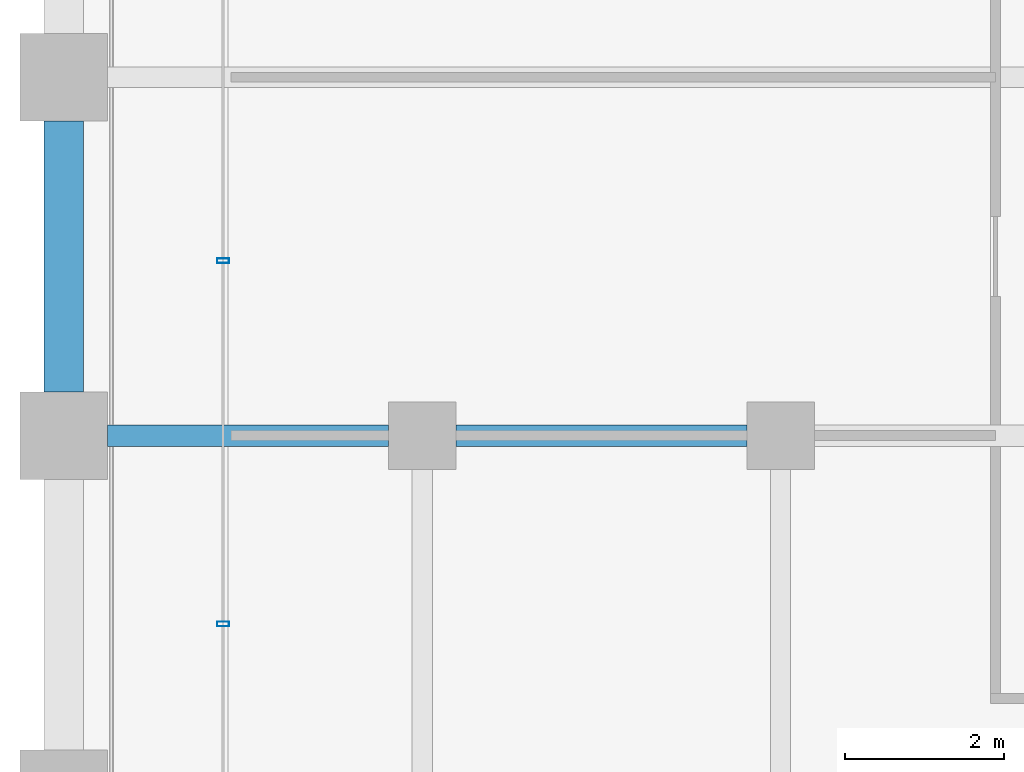
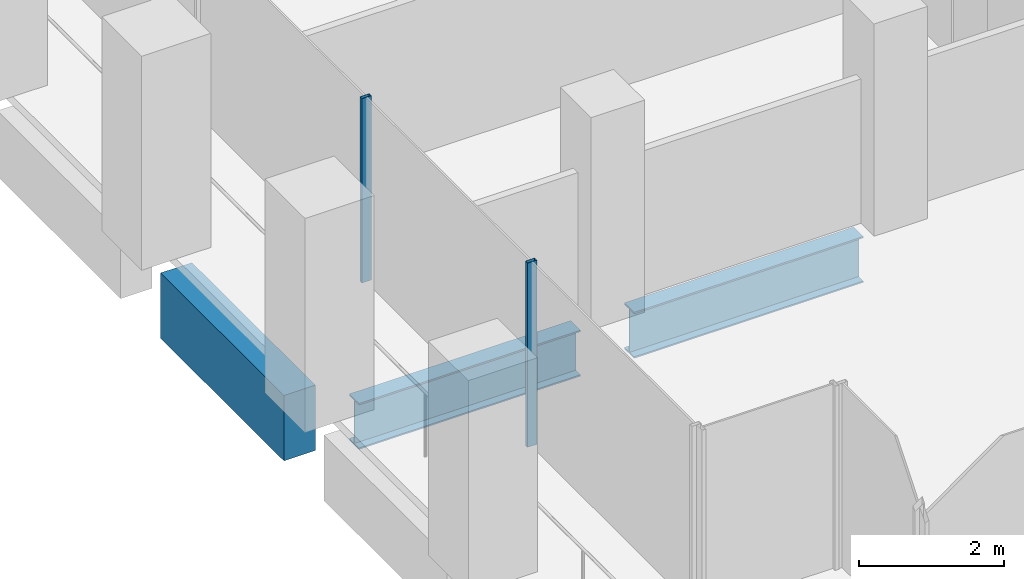
# One storey, part 5 of 56: 3 beams, 2 members, 1 element without a shape of its own.
"""IFC4 building model written with IfcOpenShell, lengths in metres."""

from ifc_helpers import new_model, si_unit, direction, frame, origin, origin_2d, place, context, subcontext, project, spatial, rectangle, hollow_rectangle, i_section, extrude, material, material_profile, profile_set, type_object, element, aggregate, save


model = new_model("IFC4")

# Units and contexts
model_context = context("Model", 3, precision=1e-05, world=origin(), true_north=direction((0.0, 1.0)))
body_context = subcontext(model_context, "Body", "Model", "MODEL_VIEW")
ifc_project = project(units=[si_unit("LENGTHUNIT", "METRE"), si_unit("AREAUNIT", "SQUARE_METRE"), si_unit("VOLUMEUNIT", "CUBIC_METRE"), si_unit("PLANEANGLEUNIT", "RADIAN"), si_unit("MASSUNIT", "GRAM", prefix="KILO")], contexts=[model_context])

# Site, building, storey
site_placement = place(None, origin())
site = spatial("IfcSite", under=ifc_project, at=site_placement, CompositionType="ELEMENT")
building_placement = place(site_placement, origin())
building = spatial("IfcBuilding", under=site, at=building_placement, Name="Altepetl Exchange Towers", CompositionType="ELEMENT")
storey_placement = place(building_placement, frame((0.0, 0.0, 83.39990234375)))
storey = spatial("IfcBuildingStorey", under=building, at=storey_placement, Name="L20", CompositionType="ELEMENT", Elevation=83.39990234375)

# Beams
ifc_material_1 = material(Name="Steel S355", Category="steel")
ifc_material_profile_1 = material_profile(ifc_material_1, i_section(OverallWidth=0.26806640625, OverallDepth=0.77392578125, WebThickness=0.015380859375, FlangeThickness=0.025390625, at=origin_2d()), Name="W30X132")
ifc_profile_set_1 = profile_set([ifc_material_profile_1], Name="Steel S355")
beam_type_1 = type_object("IfcBeamType", Name="Girder W30X132", PredefinedType="BEAM", material=ifc_profile_set_1)
beam_1_placement = place(storey_placement, frame((35.574951171875, 40.5, -0.536865234375), z_axis=(-1.0, 0.0, 0.0), x_axis=(0.0, -1.0, 0.0)))
element("IfcBeam", 1, at=beam_1_placement, inside=storey, type_object=beam_type_1, Name="gd:A:L20:010", PredefinedType="BEAM", context=body_context, shape_type="SweptSolid", body=[
    extrude(i_section(OverallWidth=0.26806640625, OverallDepth=0.77392578125, WebThickness=0.015380859375, FlangeThickness=0.025390625, at=origin_2d()), origin(), (0.0, 0.0, 1.0), 3.64990234375),
])
beam_2_placement = place(storey_placement, frame((31.074951171875, 40.5, -0.536865234375), z_axis=(-1.0, 0.0, 0.0), x_axis=(0.0, -1.0, 0.0)))
element("IfcBeam", 2, at=beam_2_placement, inside=storey, type_object=beam_type_1, Name="gd:A:L20:011", PredefinedType="BEAM", context=body_context, shape_type="SweptSolid", body=[
    extrude(i_section(OverallWidth=0.26806640625, OverallDepth=0.77392578125, WebThickness=0.015380859375, FlangeThickness=0.025390625, at=origin_2d()), origin(), (0.0, 0.0, 1.0), 3.52490234375),
])

# Curtain wall, members
ifc_material_2 = material(Name="Aluminium 6063-T6 glazing", Category="aluminium")
curtain_wall_type = type_object("IfcCurtainWallType", Name="Loggia glazing system", PredefinedType="NOTDEFINED", material=ifc_material_2)
curtain_wall_placement = place(storey_placement, origin())
curtain_wall = element("IfcCurtainWall", 3, at=curtain_wall_placement, inside=storey, type_object=curtain_wall_type, Name="CW1 run", PredefinedType="NOTDEFINED")
ifc_material_3 = material(Name="Aluminium 6063-T6", Category="aluminium")
ifc_material_profile_2 = material_profile(ifc_material_3, hollow_rectangle(XDim=0.06005859375, YDim=0.14990234375, WallThickness=0.0029296875, at=origin_2d()), Name="Mullion 60x150 aluminium")
ifc_profile_set_2 = profile_set([ifc_material_profile_2], Name="Aluminium 6063-T6")
member_type = type_object("IfcMemberType", Name="Mullion 60x150 aluminium", PredefinedType="MULLION", material=ifc_profile_set_2)
member_1_placement = place(storey_placement, frame((29.0, 42.696533203125, 0.0), z_axis=(0.0, 0.0, 1.0), x_axis=(0.0, -1.0, 0.0)))
member_1 = element("IfcMember", 4, at=member_1_placement, type_object=member_type, Name="MU1 mullion", PredefinedType="MULLION", context=body_context, shape_type="SweptSolid", body=[
    extrude(hollow_rectangle(XDim=0.06005859375, YDim=0.14990234375, WallThickness=0.0029296875, at=origin_2d()), origin(), (0.0, 0.0, 1.0), 3.10009765625),
])
member_2_placement = place(storey_placement, frame((29.0, 38.1357421875, 0.0), z_axis=(0.0, 0.0, 1.0), x_axis=(0.0, -1.0, 0.0)))
member_2 = element("IfcMember", 5, at=member_2_placement, type_object=member_type, Name="MU1 mullion", PredefinedType="MULLION", context=body_context, shape_type="SweptSolid", body=[
    extrude(hollow_rectangle(XDim=0.06005859375, YDim=0.14990234375, WallThickness=0.0029296875, at=origin_2d()), origin(), (0.0, 0.0, 1.0), 3.10009765625),
])
aggregate(curtain_wall, [member_1, member_2])

# Beam
ifc_material_4 = material(Name="Concrete C50/60 precast with tezontle facing", Category="concrete")
ifc_material_profile_3 = material_profile(ifc_material_4, rectangle(XDim=0.5, YDim=1.10009765625, at=origin_2d()), Name="500 x 1100")
ifc_profile_set_3 = profile_set([ifc_material_profile_3], Name="Concrete C50/60 precast with tezontle facing")
beam_type_2 = type_object("IfcBeamType", Name="Spandrel beam 500x1100 tezontle", PredefinedType="SPANDREL", material=ifc_profile_set_3)
beam_3_placement = place(storey_placement, frame((27.0, 44.449951171875, -0.699951171875), z_axis=(0.0, -1.0, 0.0), x_axis=(1.0, 0.0, 0.0)))
element("IfcBeam", 6, at=beam_3_placement, inside=storey, type_object=beam_type_2, Name="sp:A:L20:041", PredefinedType="SPANDREL", context=body_context, shape_type="SweptSolid", body=[
    extrude(rectangle(XDim=0.5, YDim=1.10009765625, at=origin_2d()), origin(), (0.0, 0.0, 1.0), 3.39990234375),
])

save(model, "model.ifc")
